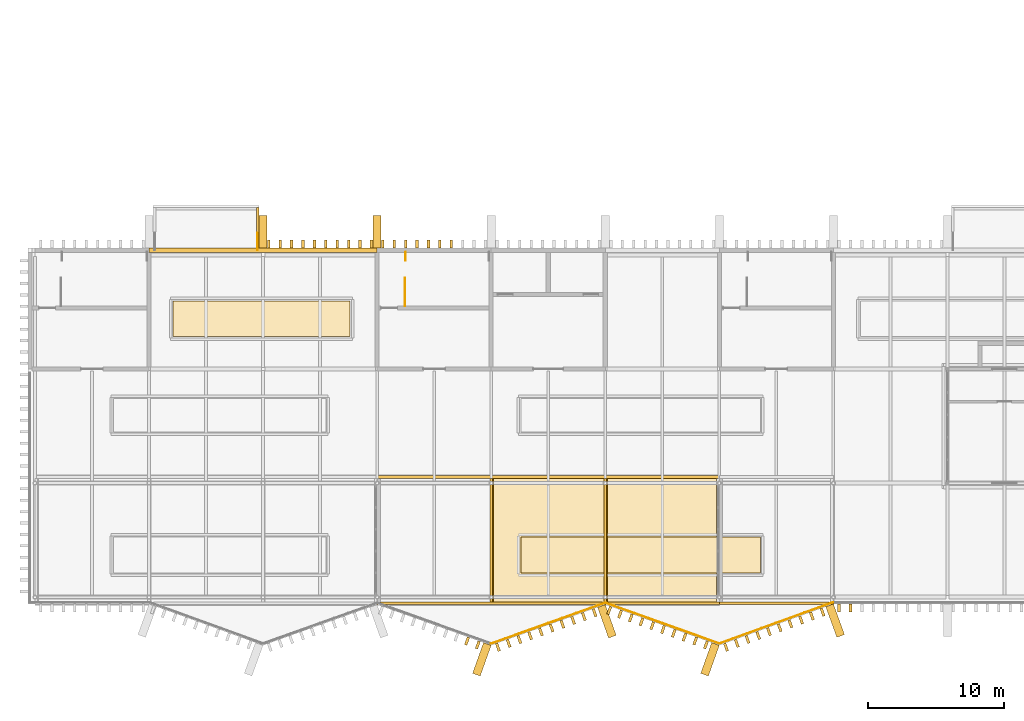
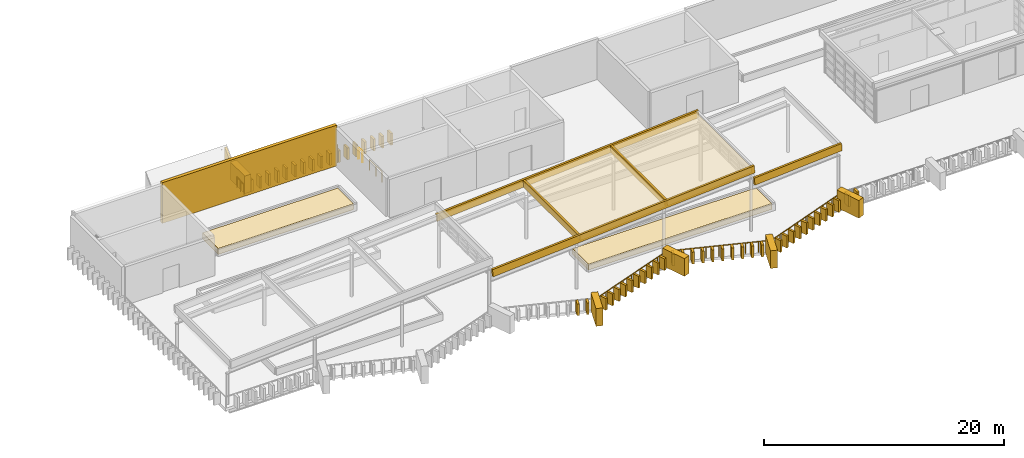
# One storey, part 44 of 51: 68 coverings, 6 railings.
"""IFC4 building model written with IfcOpenShell, lengths in metres."""

from ifc_helpers import new_model, si_unit, direction, frame, origin, origin_2d, place, context, subcontext, project, spatial, polyline, rectangle, circle, outline, extrude, material, layer, layer_set, type_object, element, save


model = new_model("IFC4")

# Units and contexts
model_context = context("Model", 3, precision=1e-05, world=origin(), true_north=direction((0.0, 1.0)))
body_context = subcontext(model_context, "Body", "Model", "MODEL_VIEW")
ifc_project = project(units=[si_unit("LENGTHUNIT", "METRE"), si_unit("AREAUNIT", "SQUARE_METRE"), si_unit("VOLUMEUNIT", "CUBIC_METRE"), si_unit("PLANEANGLEUNIT", "RADIAN"), si_unit("MASSUNIT", "GRAM", prefix="KILO")], contexts=[model_context])

# Site, building, storey
site_placement = place(None, origin())
site = spatial("IfcSite", under=ifc_project, at=site_placement, CompositionType="ELEMENT")
building_placement = place(site_placement, origin())
building = spatial("IfcBuilding", under=site, at=building_placement, Name="Cresset Court Congress Hotel", CompositionType="ELEMENT")
storey_placement = place(building_placement, frame((0.0, 0.0, 18.60009765625)))
storey = spatial("IfcBuildingStorey", under=building, at=storey_placement, Name="L04", CompositionType="ELEMENT", Elevation=18.60009765625)

# Railings
ifc_material_1 = material(Name="Steel and laminated glass", Category="steel")
railing_type_1 = type_object("IfcRailingType", Name="Guard 1100 steel and glass", PredefinedType="GUARDRAIL", material=ifc_material_1)
railing_1_placement = place(storey_placement, frame((35.70068359375, 24.800048828125, 0.0)))
element("IfcRailing", 1, at=railing_1_placement, inside=storey, type_object=railing_type_1, Name="Roof stair well guard 4", PredefinedType="GUARDRAIL", context=body_context, shape_type="SweptSolid", body=[
    extrude(circle(Radius=0.02392578125, at=origin_2d()), frame((0.0, 0.0, 1.076171875), z_axis=(0.0, 1.0, 0.0), x_axis=(-1.0, 0.0, 0.0)), (0.0, 0.0, 1.0), 0.599853515625),
    extrude(circle(Radius=0.02099609375, at=origin_2d()), origin(), (0.0, 0.0, 1.0), 1.052001953125),
    extrude(circle(Radius=0.02099609375, at=origin_2d()), frame((0.0, 0.599853515625, 0.0)), (0.0, 0.0, 1.0), 1.052001953125),
])
railing_2_placement = place(storey_placement, frame((35.64990234375, 21.449951171875, 0.0)))
element("IfcRailing", 2, at=railing_2_placement, inside=storey, type_object=railing_type_1, Name="L04 ST-B2 top well guard 1", PredefinedType="GUARDRAIL", context=body_context, shape_type="SweptSolid", body=[
    extrude(circle(Radius=0.02392578125, at=origin_2d()), frame((0.0, 0.0, 1.076171875), z_axis=(0.0, 1.0, 0.0), x_axis=(-1.0, 0.0, 0.0)), (0.0, 0.0, 1.0), 2.050048828125),
    extrude(circle(Radius=0.02099609375, at=origin_2d()), origin(), (0.0, 0.0, 1.0), 1.052001953125),
    extrude(circle(Radius=0.02099609375, at=origin_2d()), frame((0.0, 1.02490234375, 0.0)), (0.0, 0.0, 1.0), 1.052001953125),
    extrude(circle(Radius=0.02099609375, at=origin_2d()), frame((0.0, 2.050048828125, 0.0)), (0.0, 0.0, 1.0), 1.052001953125),
])
ifc_material_2 = material(Name="Steel and laminated glass", Category="steel")
railing_type_2 = type_object("IfcRailingType", Name="Guard 1100 steel and glass external", PredefinedType="GUARDRAIL", material=ifc_material_2)
railing_3_placement = place(storey_placement, frame((67.178955078125, -0.3798828125, 0.0)))
element("IfcRailing", 3, at=railing_3_placement, inside=storey, type_object=railing_type_2, Name="Roof garden guard 11", PredefinedType="GUARDRAIL", context=body_context, shape_type="SweptSolid", body=[
    extrude(circle(Radius=0.02392578125, at=origin_2d()), frame((0.0, 0.0, 1.076171875), z_axis=(-0.939958032876, -0.341290047366, 0.0), x_axis=(0.341290047366, -0.939958032876, 0.0)), (0.0, 0.0, 1.0), 8.91455078125),
    extrude(circle(Radius=0.02099609375, at=origin_2d()), origin(), (0.0, 0.0, 1.0), 1.052001953125),
    extrude(circle(Radius=0.02099609375, at=origin_2d()), frame((-1.04736328125, -0.38037109375, 0.0)), (0.0, 0.0, 1.0), 1.052001953125),
    extrude(circle(Radius=0.02099609375, at=origin_2d()), frame((-2.0947265625, -0.7607421875, 0.0)), (0.0, 0.0, 1.0), 1.052001953125),
    extrude(circle(Radius=0.02099609375, at=origin_2d()), frame((-3.142333984375, -1.140869140625, 0.0)), (0.0, 0.0, 1.0), 1.052001953125),
    extrude(circle(Radius=0.02099609375, at=origin_2d()), frame((-4.189697265625, -1.521240234375, 0.0)), (0.0, 0.0, 1.0), 1.052001953125),
    extrude(circle(Radius=0.02099609375, at=origin_2d()), frame((-5.237060546875, -1.901611328125, 0.0)), (0.0, 0.0, 1.0), 1.052001953125),
    extrude(circle(Radius=0.02099609375, at=origin_2d()), frame((-6.28466796875, -2.28173828125, 0.0)), (0.0, 0.0, 1.0), 1.052001953125),
    extrude(circle(Radius=0.02099609375, at=origin_2d()), frame((-7.33203125, -2.662109375, 0.0)), (0.0, 0.0, 1.0), 1.052001953125),
    extrude(circle(Radius=0.02099609375, at=origin_2d()), frame((-8.37939453125, -3.04248046875, 0.0)), (0.0, 0.0, 1.0), 1.052001953125),
])
railing_4_placement = place(storey_placement, frame((58.799560546875, -3.42236328125, 0.0)))
element("IfcRailing", 4, at=railing_4_placement, inside=storey, type_object=railing_type_2, Name="Roof garden guard 12", PredefinedType="GUARDRAIL", context=body_context, shape_type="SweptSolid", body=[
    extrude(circle(Radius=0.02392578125, at=origin_2d()), frame((0.0, 0.0, 1.076171875), z_axis=(-0.941746246507, 0.336324258998, 0.0), x_axis=(-0.336324258998, -0.941746246507, 0.0)), (0.0, 0.0, 1.0), 8.919189453125),
    extrude(circle(Radius=0.02099609375, at=origin_2d()), origin(), (0.0, 0.0, 1.0), 1.052001953125),
    extrude(circle(Radius=0.02099609375, at=origin_2d()), frame((-1.050048828125, 0.375, 0.0)), (0.0, 0.0, 1.0), 1.052001953125),
    extrude(circle(Radius=0.02099609375, at=origin_2d()), frame((-2.099853515625, 0.75, 0.0)), (0.0, 0.0, 1.0), 1.052001953125),
    extrude(circle(Radius=0.02099609375, at=origin_2d()), frame((-3.14990234375, 1.125, 0.0)), (0.0, 0.0, 1.0), 1.052001953125),
    extrude(circle(Radius=0.02099609375, at=origin_2d()), frame((-4.19970703125, 1.5, 0.0)), (0.0, 0.0, 1.0), 1.052001953125),
    extrude(circle(Radius=0.02099609375, at=origin_2d()), frame((-5.249755859375, 1.874755859375, 0.0)), (0.0, 0.0, 1.0), 1.052001953125),
    extrude(circle(Radius=0.02099609375, at=origin_2d()), frame((-6.2998046875, 2.249755859375, 0.0)), (0.0, 0.0, 1.0), 1.052001953125),
    extrude(circle(Radius=0.02099609375, at=origin_2d()), frame((-7.349609375, 2.624755859375, 0.0)), (0.0, 0.0, 1.0), 1.052001953125),
    extrude(circle(Radius=0.02099609375, at=origin_2d()), frame((-8.399658203125, 2.999755859375, 0.0)), (0.0, 0.0, 1.0), 1.052001953125),
])
railing_5_placement = place(storey_placement, frame((50.39990234375, -0.422607421875, 0.0)))
element("IfcRailing", 5, at=railing_5_placement, inside=storey, type_object=railing_type_2, Name="Roof garden guard 13", PredefinedType="GUARDRAIL", context=body_context, shape_type="SweptSolid", body=[
    extrude(circle(Radius=0.02392578125, at=origin_2d()), frame((0.0, 0.0, 1.076171875), z_axis=(-0.941740673063, -0.336339864867, 0.0), x_axis=(0.336339864867, -0.941740673063, 0.0)), (0.0, 0.0, 1.0), 8.91943359375),
    extrude(circle(Radius=0.02099609375, at=origin_2d()), origin(), (0.0, 0.0, 1.0), 1.052001953125),
    extrude(circle(Radius=0.02099609375, at=origin_2d()), frame((-1.050048828125, -0.375, 0.0)), (0.0, 0.0, 1.0), 1.052001953125),
    extrude(circle(Radius=0.02099609375, at=origin_2d()), frame((-2.10009765625, -0.75, 0.0)), (0.0, 0.0, 1.0), 1.052001953125),
    extrude(circle(Radius=0.02099609375, at=origin_2d()), frame((-3.14990234375, -1.125, 0.0)), (0.0, 0.0, 1.0), 1.052001953125),
    extrude(circle(Radius=0.02099609375, at=origin_2d()), frame((-4.199951171875, -1.5, 0.0)), (0.0, 0.0, 1.0), 1.052001953125),
    extrude(circle(Radius=0.02099609375, at=origin_2d()), frame((-5.25, -1.875, 0.0)), (0.0, 0.0, 1.0), 1.052001953125),
    extrude(circle(Radius=0.02099609375, at=origin_2d()), frame((-6.2998046875, -2.25, 0.0)), (0.0, 0.0, 1.0), 1.052001953125),
    extrude(circle(Radius=0.02099609375, at=origin_2d()), frame((-7.349853515625, -2.625, 0.0)), (0.0, 0.0, 1.0), 1.052001953125),
    extrude(circle(Radius=0.02099609375, at=origin_2d()), frame((-8.39990234375, -3.0, 0.0)), (0.0, 0.0, 1.0), 1.052001953125),
])
railing_6_placement = place(storey_placement, frame((24.780029296875, 25.580078125, 0.0)))
element("IfcRailing", 6, at=railing_6_placement, inside=storey, type_object=railing_type_2, Name="Roof garden guard 20", PredefinedType="GUARDRAIL", context=body_context, shape_type="SweptSolid", body=[
    extrude(circle(Radius=0.02392578125, at=origin_2d()), frame((0.0, 0.0, 1.076171875), z_axis=(0.0, 1.0, 0.0), x_axis=(-1.0, 0.0, 0.0)), (0.0, 0.0, 1.0), 1.219970703125),
    extrude(circle(Radius=0.02099609375, at=origin_2d()), origin(), (0.0, 0.0, 1.0), 1.052001953125),
    extrude(circle(Radius=0.02099609375, at=origin_2d()), frame((0.0, 0.60986328125, 0.0)), (0.0, 0.0, 1.0), 1.052001953125),
    extrude(circle(Radius=0.02099609375, at=origin_2d()), frame((0.0, 1.219970703125, 0.0)), (0.0, 0.0, 1.0), 1.052001953125),
])

# Coverings
ifc_material_3 = material(Name="Concrete C50", Category="concrete")
ifc_layer_1 = layer(ifc_material_3, 0.199951171875)
ifc_layer_set_1 = layer_set([ifc_layer_1], Name="Planter edge 200 precast")
covering_type_1 = type_object("IfcCoveringType", Name="Planter edge 200 precast", PredefinedType="USERDEFINED", material=ifc_layer_set_1)
for number, where, z_axis, x_axis, name in (
    (7, (33.60009765625, -0.550048828125, 5.14990234375), (-0.069825953969, 0.0, 0.997559189298), (0.997559189298, 0.0, 0.069825953969), "Planter edge plate 2 S"),
    (8, (33.60009765625, 8.75, 5.14990234375), (-0.069825953969, 0.0, 0.997559189298), (0.997559189298, 0.0, 0.069825953969), "Planter edge plate 2 N"),
):
    element("IfcCovering", number, at=place(storey_placement, frame(where, z_axis=z_axis, x_axis=x_axis)), inside=storey, type_object=covering_type_1, Name=name, ObjectType="PLANTER EDGE", PredefinedType="USERDEFINED", context=body_context, shape_type="SweptSolid", body=[
        extrude(outline(polyline([(0.0, 0.0), (25.261609979869903, 0.0), (25.261609979869903, 0.19995117187500006), (0.0, 0.19995117187500006), (0.0, 0.0)])), origin(), (0.0, 0.0, -1.0), 0.75),
    ])
covering_1_placement = place(storey_placement, frame((41.89990234375, -0.35009765625, 5.73095703125), z_axis=(-0.069344861726, 0.0, 0.997592747644), x_axis=(0.997592747644, 0.0, 0.069344861726)))
element("IfcCovering", 9, at=covering_1_placement, inside=storey, type_object=covering_type_1, Name="Planter edge plate 2 line 2", ObjectType="PLANTER EDGE", PredefinedType="USERDEFINED", context=body_context, shape_type="SweptSolid", body=[
    extrude(outline(polyline([(0.0, 0.0), (0.20067839604164647, 0.0), (0.20067839604164647, 9.100097656250002), (0.0, 9.100097656250002), (0.0, 0.0)])), origin(), (0.0, 0.0, -1.0), 0.75),
])
covering_2_placement = place(storey_placement, frame((50.300048828125, -0.35009765625, 6.31884765625), z_axis=(-0.070641152636, 0.0, 0.997501793259), x_axis=(0.997501793259, 0.0, 0.070641152636)))
element("IfcCovering", 10, at=covering_2_placement, inside=storey, type_object=covering_type_1, Name="Planter edge plate 2 line 3", ObjectType="PLANTER EDGE", PredefinedType="USERDEFINED", context=body_context, shape_type="SweptSolid", body=[
    extrude(outline(polyline([(0.0, 0.0), (0.2004519422684904, 0.0), (0.2004519422684904, 9.10009765625), (0.0, 9.10009765625), (0.0, 0.0)])), origin(), (0.0, 0.0, -1.0), 0.75),
])
covering_3_placement = place(storey_placement, frame((58.800048828125, -0.550048828125, 5.64990234375), z_axis=(-0.069817009688, 0.0, 0.997559815329), x_axis=(0.997559815329, 0.0, 0.069817009688)))
element("IfcCovering", 11, at=covering_3_placement, inside=storey, type_object=covering_type_1, Name="Planter edge plate 3 S", ObjectType="PLANTER EDGE", PredefinedType="USERDEFINED", context=body_context, shape_type="SweptSolid", body=[
    extrude(outline(polyline([(0.0, 0.0), (8.420449796269772, 0.0), (8.420449796269772, 0.19995117187499997), (0.0, 0.19995117187499997), (0.0, 0.0)])), origin(), (0.0, 0.0, -1.0), 0.75),
])
ifc_material_4 = material(Name="Planting soil")
ifc_layer_2 = layer(ifc_material_4, 0.60009765625)
ifc_layer_set_2 = layer_set([ifc_layer_2], Name="Planter soil bed 600")
covering_type_2 = type_object("IfcCoveringType", Name="Planter soil bed 600", PredefinedType="FLOORING", material=ifc_layer_set_2)
covering_4_placement = place(storey_placement, frame((42.10009765625, -0.35009765625, 5.594970703125), z_axis=(-0.069826467666, 0.0, 0.99755915334), x_axis=(0.99755915334, 0.0, 0.069826467666)))
element("IfcCovering", 12, at=covering_4_placement, inside=storey, type_object=covering_type_2, Name="Planting bed plate 2 bay 2", PredefinedType="FLOORING", context=body_context, shape_type="SweptSolid", body=[
    extrude(outline(polyline([(0.0, 0.0), (8.220014967951176, 0.0), (8.220014967951176, 9.100097656250002), (0.0, 9.100097656250002), (0.0, 0.0)])), origin(), (0.0, 0.0, -1.0), 0.60009765625),
])
covering_5_placement = place(storey_placement, frame((50.5, -0.35009765625, 6.182861328125), z_axis=(-0.069845284619, 0.0, 0.997557836026), x_axis=(0.997557836026, 0.0, 0.069845284619)))
element("IfcCovering", 13, at=covering_5_placement, inside=storey, type_object=covering_type_2, Name="Planting bed plate 2 bay 3", PredefinedType="FLOORING", context=body_context, shape_type="SweptSolid", body=[
    extrude(outline(polyline([(0.0, 0.0), (8.11992785152201, 0.0), (8.11992785152201, 9.100097656250002), (0.0, 9.100097656250002), (0.0, 0.0)])), origin(), (0.0, 0.0, -1.0), 0.60009765625),
])
covering_6_placement = place(storey_placement, origin())
element("IfcCovering", 14, at=covering_6_placement, inside=storey, type_object=covering_type_2, Name="Planting bed 2", PredefinedType="FLOORING", context=body_context, shape_type="SweptSolid", body=[
    extrude(outline(polyline([(44.179931640625, 1.780029296875), (61.820068359375, 1.780029296875), (61.820068359375, 4.419921875), (44.179931640625, 4.419921875), (44.179931640625, 1.780029296875)])), origin(), (0.0, 0.0, 1.0), 0.599853515625),
])
covering_7_placement = place(storey_placement, origin())
element("IfcCovering", 15, at=covering_7_placement, inside=storey, type_object=covering_type_2, Name="Planting bed 9", PredefinedType="FLOORING", context=body_context, shape_type="SweptSolid", body=[
    extrude(outline(polyline([(18.580078125, 19.179931640625), (31.6201171875, 19.179931640625), (31.6201171875, 21.820068359375), (18.580078125, 21.820068359375), (18.580078125, 19.179931640625)])), origin(), (0.0, 0.0, 1.0), 0.599853515625),
])
ifc_material_5 = material(Name="Precast concrete C50", Category="concrete")
covering_type_3 = type_object("IfcCoveringType", Name="Precast stone fin 200x600 variant 1", PredefinedType="CLADDING", material=ifc_material_5)
for number, where, z_axis, x_axis, name in (
    (16, (40.22314453125, -3.23388671875, 0.0), (0.0, 0.0, 1.0), (0.94174205282, -0.336336001568, 0.0), "Fin S04-038"),
    (17, (41.01416015625, -3.5166015625, 0.0), (0.0, 0.0, 1.0), (0.94174205282, -0.336336001568, 0.0), "Fin S04-039"),
    (18, (42.496337890625, -3.691162109375, 0.0), (0.0, 0.0, 1.0), (0.94174205282, 0.336336001568, 0.0), "Fin S04-040"),
    (19, (43.28759765625, -3.40869140625, 0.0), (0.0, 0.0, 1.0), (0.94174205282, 0.336336001568, 0.0), "Fin S04-041"),
    (20, (44.07861328125, -3.126220703125, 0.0), (0.0, 0.0, 1.0), (0.94174205282, 0.336336001568, 0.0), "Fin S04-042"),
    (21, (44.86962890625, -2.84375, 0.0), (0.0, 0.0, 1.0), (0.94174205282, 0.336336001568, 0.0), "Fin S04-043"),
    (22, (45.66064453125, -2.561279296875, 0.0), (0.0, 0.0, 1.0), (0.94174205282, 0.336336001568, 0.0), "Fin S04-044"),
    (23, (46.45166015625, -2.278564453125, 0.0), (0.0, 0.0, 1.0), (0.94174205282, 0.336336001568, 0.0), "Fin S04-045"),
    (24, (47.242919921875, -1.99609375, 0.0), (0.0, 0.0, 1.0), (0.94174205282, 0.336336001568, 0.0), "Fin S04-046"),
    (25, (48.033935546875, -1.713623046875, 0.0), (0.0, 0.0, 1.0), (0.94174205282, 0.336336001568, 0.0), "Fin S04-047"),
    (26, (48.824951171875, -1.43115234375, 0.0), (0.0, 0.0, 1.0), (0.94174205282, 0.336336001568, 0.0), "Fin S04-048"),
    (27, (49.615966796875, -1.1484375, 0.0), (0.0, 0.0, 1.0), (0.94174205282, 0.336336001568, 0.0), "Fin S04-049"),
    (28, (50.694580078125, -0.973876953125, 0.0), (0.0, 0.0, 1.0), (0.94174205282, -0.336336001568, 0.0), "Fin S04-050"),
    (29, (51.485595703125, -1.25634765625, 0.0), (0.0, 0.0, 1.0), (0.94174205282, -0.336336001568, 0.0), "Fin S04-051"),
    (30, (52.27685546875, -1.538818359375, 0.0), (0.0, 0.0, 1.0), (0.94174205282, -0.336336001568, 0.0), "Fin S04-052"),
    (31, (53.06787109375, -1.8212890625, 0.0), (0.0, 0.0, 1.0), (0.94174205282, -0.336336001568, 0.0), "Fin S04-053"),
    (32, (53.85888671875, -2.103759765625, 0.0), (0.0, 0.0, 1.0), (0.94174205282, -0.336336001568, 0.0), "Fin S04-054"),
    (33, (54.64990234375, -2.386474609375, 0.0), (0.0, 0.0, 1.0), (0.94174205282, -0.336336001568, 0.0), "Fin S04-055"),
    (34, (55.44091796875, -2.6689453125, 0.0), (0.0, 0.0, 1.0), (0.94174205282, -0.336336001568, 0.0), "Fin S04-056"),
    (35, (56.232177734375, -2.951416015625, 0.0), (0.0, 0.0, 1.0), (0.94174205282, -0.336336001568, 0.0), "Fin S04-057"),
    (36, (57.023193359375, -3.23388671875, 0.0), (0.0, 0.0, 1.0), (0.94174205282, -0.336336001568, 0.0), "Fin S04-058"),
    (37, (57.814208984375, -3.5166015625, 0.0), (0.0, 0.0, 1.0), (0.94174205282, -0.336336001568, 0.0), "Fin S04-059"),
    (38, (59.297119140625, -3.688720703125, 0.0), (0.0, 0.0, 1.0), (0.939956783309, 0.341293488819, 0.0), "Fin S04-060"),
    (39, (60.086669921875, -3.40185546875, 0.0), (0.0, 0.0, 1.0), (0.939956783309, 0.341293488819, 0.0), "Fin S04-061"),
    (40, (60.876220703125, -3.115234375, 0.0), (0.0, 0.0, 1.0), (0.939956783309, 0.341293488819, 0.0), "Fin S04-062"),
    (41, (61.665771484375, -2.82861328125, 0.0), (0.0, 0.0, 1.0), (0.939956783309, 0.341293488819, 0.0), "Fin S04-063"),
    (42, (62.455322265625, -2.5419921875, 0.0), (0.0, 0.0, 1.0), (0.939956783309, 0.341293488819, 0.0), "Fin S04-064"),
    (43, (63.244873046875, -2.255126953125, 0.0), (0.0, 0.0, 1.0), (0.939956783309, 0.341293488819, 0.0), "Fin S04-065"),
    (44, (64.03466796875, -1.968505859375, 0.0), (0.0, 0.0, 1.0), (0.939956783309, 0.341293488819, 0.0), "Fin S04-066"),
    (45, (64.82421875, -1.681884765625, 0.0), (0.0, 0.0, 1.0), (0.939956783309, 0.341293488819, 0.0), "Fin S04-067"),
    (46, (65.61376953125, -1.395263671875, 0.0), (0.0, 0.0, 1.0), (0.939956783309, 0.341293488819, 0.0), "Fin S04-068"),
    (47, (66.4033203125, -1.1083984375, 0.0), (0.0, 0.0, 1.0), (0.939956783309, 0.341293488819, 0.0), "Fin S04-069"),
    (48, (67.6201171875, -0.800048828125, 0.0), (0.0, 0.0, 1.0), (1.0, 0.0, 0.0), "Fin S04-070"),
    (49, (68.4599609375, -0.800048828125, 0.0), (0.0, 0.0, 1.0), (1.0, 0.0, 0.0), "Fin S04-071"),
    (50, (25.6201171875, 26.0, 0.0), (0.0, 0.0, 1.0), (1.0, 0.0, 0.0), "Fin N04-020"),
    (51, (26.4599609375, 26.0, 0.0), (0.0, 0.0, 1.0), (1.0, 0.0, 0.0), "Fin N04-021"),
    (52, (27.300048828125, 26.0, 0.0), (0.0, 0.0, 1.0), (1.0, 0.0, 0.0), "Fin N04-022"),
    (53, (28.139892578125, 26.0, 0.0), (0.0, 0.0, 1.0), (1.0, 0.0, 0.0), "Fin N04-023"),
    (54, (28.97998046875, 26.0, 0.0), (0.0, 0.0, 1.0), (1.0, 0.0, 0.0), "Fin N04-024"),
    (55, (29.820068359375, 26.0, 0.0), (0.0, 0.0, 1.0), (1.0, 0.0, 0.0), "Fin N04-025"),
    (56, (30.659912109375, 26.0, 0.0), (0.0, 0.0, 1.0), (1.0, 0.0, 0.0), "Fin N04-026"),
    (57, (31.5, 26.0, 0.0), (0.0, 0.0, 1.0), (1.0, 0.0, 0.0), "Fin N04-027"),
    (58, (32.340087890625, 26.0, 0.0), (0.0, 0.0, 1.0), (1.0, 0.0, 0.0), "Fin N04-028"),
    (59, (33.179931640625, 26.0, 0.0), (0.0, 0.0, 1.0), (1.0, 0.0, 0.0), "Fin N04-029"),
    (60, (34.02001953125, 26.0, 0.0), (0.0, 0.0, 1.0), (1.0, 0.0, 0.0), "Fin N04-030"),
    (61, (34.860107421875, 26.0, 0.0), (0.0, 0.0, 1.0), (1.0, 0.0, 0.0), "Fin N04-031"),
    (62, (35.699951171875, 26.0, 0.0), (0.0, 0.0, 1.0), (1.0, 0.0, 0.0), "Fin N04-032"),
    (63, (36.5400390625, 26.0, 0.0), (0.0, 0.0, 1.0), (1.0, 0.0, 0.0), "Fin N04-033"),
    (64, (37.3798828125, 26.0, 0.0), (0.0, 0.0, 1.0), (1.0, 0.0, 0.0), "Fin N04-034"),
    (65, (38.219970703125, 26.0, 0.0), (0.0, 0.0, 1.0), (1.0, 0.0, 0.0), "Fin N04-035"),
    (66, (39.06005859375, 26.0, 0.0), (0.0, 0.0, 1.0), (1.0, 0.0, 0.0), "Fin N04-036"),
):
    element("IfcCovering", number, at=place(storey_placement, frame(where, z_axis=z_axis, x_axis=x_axis)), inside=storey, type_object=covering_type_3, Name=name, PredefinedType="CLADDING", context=body_context, shape_type="SweptSolid", body=[
        extrude(rectangle(XDim=0.199951171875, YDim=0.60009765625, at=origin_2d()), origin(), (0.0, 0.0, 1.0), 1.199951171875),
    ])
ifc_material_6 = material(Name="Precast concrete C50", Category="concrete")
ifc_layer_3 = layer(ifc_material_6, 0.199951171875)
ifc_layer_set_3 = layer_set([ifc_layer_3], Name="Precast stone hood cheek 200")
covering_type_4 = type_object("IfcCoveringType", Name="Precast stone hood cheek 200", PredefinedType="CLADDING", material=ifc_layer_set_3)
covering_8_placement = place(storey_placement, frame((24.89990234375, 25.699951171875, 0.0), z_axis=(1.0, 0.0, 0.0), x_axis=(0.0, 1.0, 0.0)))
element("IfcCovering", 67, at=covering_8_placement, inside=storey, type_object=covering_type_4, Name="Hood cheek N01b", PredefinedType="CLADDING", context=body_context, shape_type="SweptSolid", body=[
    extrude(outline(polyline([(0.0, 0.0), (3.0, 0.0), (3.0, 3.0), (0.0, 0.0)])), origin(), (0.0, 0.0, -1.0), 0.199951171875),
])
ifc_material_7 = material(Name="Precast concrete C50", Category="concrete")
covering_type_5 = type_object("IfcCoveringType", Name="Precast stone pier 600x2400", PredefinedType="CLADDING", material=ifc_material_7)
for number, where, z_axis, x_axis, name in (
    (68, (41.31396484375, -4.5791015625, 0.0), (0.0, 0.0, 1.0), (0.94174205282, -0.336336001568, 0.0), "Pier S04-04"),
    (69, (50.52099609375, -1.781005859375, 0.0), (0.0, 0.0, 1.0), (0.94174205282, 0.336336001568, 0.0), "Pier S04-05"),
    (70, (58.11376953125, -4.5791015625, 0.0), (0.0, 0.0, 1.0), (0.94174205282, -0.336336001568, 0.0), "Pier S04-06"),
    (71, (67.32763671875, -1.730224609375, 0.0), (0.0, 0.0, 1.0), (0.939956783309, 0.341293488819, 0.0), "Pier S04-07"),
    (72, (25.199951171875, 26.89990234375, 0.0), (0.0, 0.0, 1.0), (1.0, 0.0, 0.0), "Pier N04-02"),
    (73, (33.60009765625, 26.89990234375, 0.0), (0.0, 0.0, 1.0), (1.0, 0.0, 0.0), "Pier N04-03"),
):
    element("IfcCovering", number, at=place(storey_placement, frame(where, z_axis=z_axis, x_axis=x_axis)), inside=storey, type_object=covering_type_5, Name=name, PredefinedType="CLADDING", context=body_context, shape_type="SweptSolid", body=[
        extrude(rectangle(XDim=0.60009765625, YDim=2.39990234375, at=origin_2d()), origin(), (0.0, 0.0, 1.0), 1.800048828125),
    ])
ifc_material_8 = material(Name="Concrete C50", Category="concrete")
ifc_layer_4 = layer(ifc_material_8, 0.300048828125)
ifc_layer_set_4 = layer_set([ifc_layer_4], Name="Precast stone roof screen 300")
covering_type_6 = type_object("IfcCoveringType", Name="Precast stone roof screen 300", PredefinedType="CLADDING", material=ifc_layer_set_4)
covering_9_placement = place(storey_placement, frame((25.199951171875, 25.550048828125, 0.0), z_axis=(0.0, 0.0, 1.0), x_axis=(1.0, 0.0, 0.0)))
element("IfcCovering", 74, at=covering_9_placement, inside=storey, type_object=covering_type_6, Name="Roof screen 2", PredefinedType="CLADDING", context=body_context, shape_type="SweptSolid", body=[
    extrude(rectangle(XDim=16.800048828125, YDim=0.300048828125, at=origin_2d()), origin(), (0.0, 0.0, 1.0), 4.139892578125),
])

save(model, "model.ifc")
